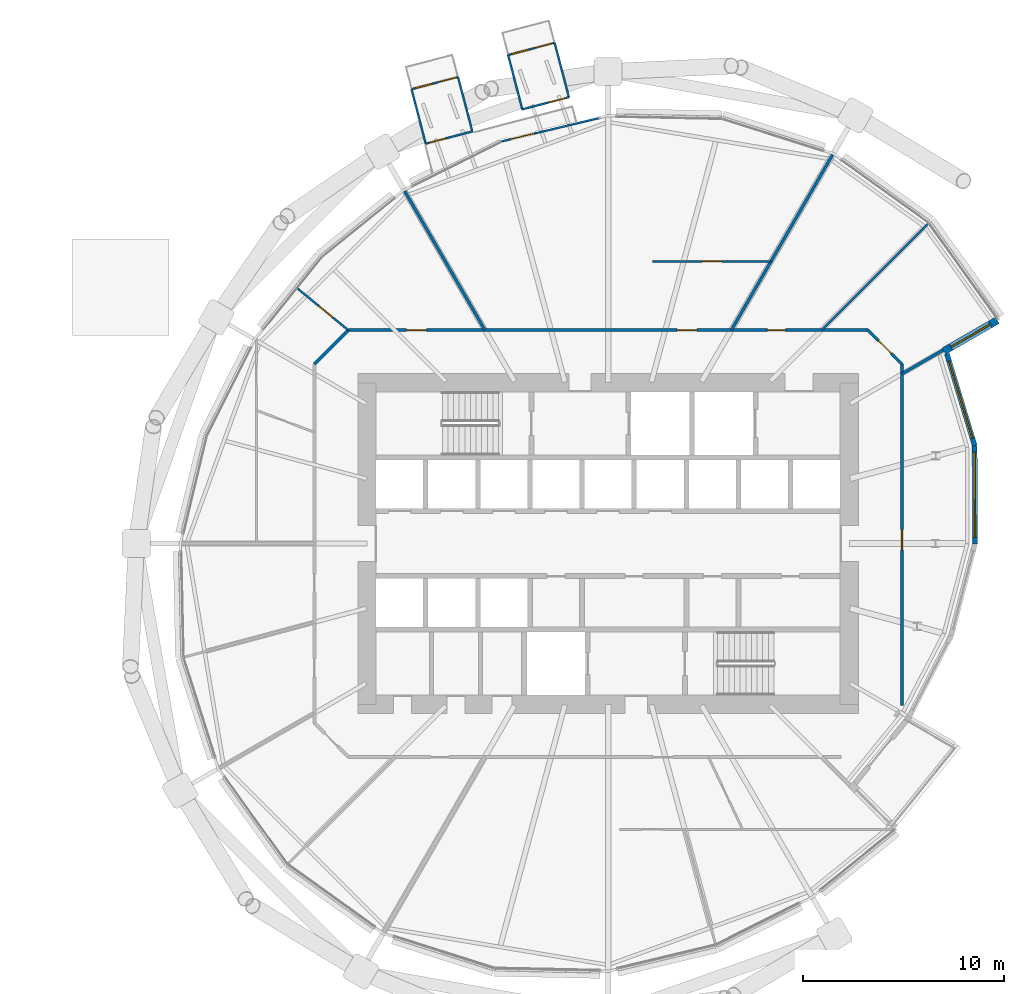
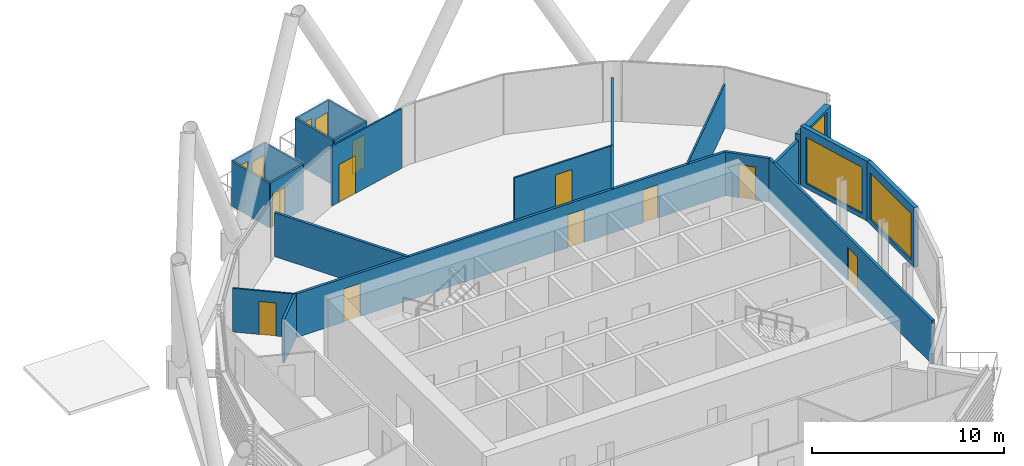
# One storey, part 27 of 34: 22 walls, 12 doors, 5 windows, 17 openings.
"""IFC4 building model written with IfcOpenShell, lengths in metres."""

from ifc_helpers import new_model, si_unit, direction, frame, frame_2d, origin, place, context, subcontext, project, spatial, rectangle, extrude, material, layer, layer_set, type_object, element, fill, save


model = new_model("IFC4")

# Units and contexts
model_context = context("Model", 3, precision=1e-05, world=origin(), true_north=direction((0.0, 1.0)))
body_context = subcontext(model_context, "Body", "Model", "MODEL_VIEW")
ifc_project = project(units=[si_unit("LENGTHUNIT", "METRE"), si_unit("AREAUNIT", "SQUARE_METRE"), si_unit("VOLUMEUNIT", "CUBIC_METRE"), si_unit("PLANEANGLEUNIT", "RADIAN"), si_unit("MASSUNIT", "GRAM", prefix="KILO")], contexts=[model_context])

# Site, building, storey
site_placement = place(None, origin())
site = spatial("IfcSite", under=ifc_project, at=site_placement, CompositionType="ELEMENT")
building_placement = place(site_placement, origin())
building = spatial("IfcBuilding", under=site, at=building_placement, Name="Rimbun Link Towers", CompositionType="ELEMENT")
storey_placement = place(building_placement, frame((0.0, 0.0, 41.39990234375)))
storey = spatial("IfcBuildingStorey", under=building, at=storey_placement, Name="L09", CompositionType="ELEMENT", Elevation=41.39990234375)

# Wall, openings, door, window
ifc_material_1 = material(Name="Terracotta-faced insulated sandwich panel", Category="masonry")
ifc_layer_1 = layer(ifc_material_1, 0.10009765625)
ifc_layer_set_1 = layer_set([ifc_layer_1], Name="CAPSULE entrance panel 100")
wall_type_1 = type_object("IfcWallType", Name="CAPSULE entrance panel 100", PredefinedType="STANDARD", material=ifc_layer_set_1)
wall_1_placement = place(storey_placement, frame((24.28271484375, 23.216796875, 0.0), z_axis=(0.0, 0.0, 1.0), x_axis=(-0.967358567916, -0.253411525153, 0.0)))
wall_1 = element("IfcWall", 1, at=wall_1_placement, inside=storey, type_object=wall_type_1, Name="CAPSULE D092.01 shell panel 2", PredefinedType="STANDARD", context=body_context, shape_type="SweptSolid", body=[
    extrude(rectangle(XDim=2.39990234375, YDim=0.10009765625, at=frame_2d((1.199951171875, 0.0))), origin(), (0.0, 0.0, 1.0), 2.85009765625),
])
opening_1_placement = place(wall_1_placement, frame((0.10009765625, 0.0, 0.0)))
opening_1 = element("IfcOpeningElement", 2, at=opening_1_placement, cuts=wall_1, Name="Opening CD09.01", PredefinedType="OPENING", context=body_context, shape_type="SweptSolid", body=[
    extrude(rectangle(XDim=0.89990234375, YDim=2.10009765625, at=frame_2d((0.449951171875, 1.050048828125))), frame((0.0, 0.06005859375, 0.0), z_axis=(0.0, -1.0, 0.0), x_axis=(1.0, 0.0, 0.0)), (0.0, 0.0, 1.0), 0.1201171875),
])
opening_2_placement = place(wall_1_placement, frame((1.300048828125, 0.0, 0.89990234375)))
opening_2 = element("IfcOpeningElement", 3, at=opening_2_placement, cuts=wall_1, Name="Opening CN09.01", PredefinedType="OPENING", context=body_context, shape_type="SweptSolid", body=[
    extrude(rectangle(XDim=0.89990234375, YDim=1.39990234375, at=frame_2d((0.449951171875, 0.699951171875))), frame((0.0, 0.06005859375, 0.0), z_axis=(0.0, -1.0, 0.0), x_axis=(1.0, 0.0, 0.0)), (0.0, 0.0, 1.0), 0.1201171875),
])
ifc_material_2 = material(Name="Aluminium framed insulated door leaf", Category="aluminium")
door_type_1 = type_object("IfcDoorType", Name="CAPSULE door single leaf 900X2100", OperationType="SINGLE_SWING_LEFT", PredefinedType="DOOR", material=ifc_material_2)
door_1_placement = place(opening_1_placement, origin())
door_1 = element("IfcDoor", 4, at=door_1_placement, inside=storey, type_object=door_type_1, Name="CAPSULE D092.01 door", OperationType="SINGLE_SWING_LEFT", OverallHeight=2.10009765625, OverallWidth=0.89990234375, PredefinedType="DOOR", context=body_context, shape_type="SweptSolid", body=[
    extrude(rectangle(XDim=0.89990234375, YDim=2.10009765625, at=frame_2d((0.449951171875, 1.050048828125))), frame((0.0, 0.02490234375, 0.0), z_axis=(0.0, -1.0, 0.0), x_axis=(1.0, 0.0, 0.0)), (0.0, 0.0, 1.0), 0.050048828125),
])
fill(opening_1, door_1)
ifc_material_3 = material(Name="Aluminium framed window, low-iron glass", Category="aluminium")
window_type_1 = type_object("IfcWindowType", Name="CAPSULE window 900X1400", PartitioningType="SINGLE_PANEL", PredefinedType="WINDOW", material=ifc_material_3)
window_1_placement = place(opening_2_placement, origin())
window_1 = element("IfcWindow", 5, at=window_1_placement, inside=storey, type_object=window_type_1, Name="CAPSULE D092.01 window", OverallHeight=1.39990234375, OverallWidth=0.89990234375, PartitioningType="SINGLE_PANEL", PredefinedType="WINDOW", context=body_context, shape_type="SweptSolid", body=[
    extrude(rectangle(XDim=0.89990234375, YDim=1.39990234375, at=frame_2d((0.449951171875, 0.699951171875))), frame((0.0, 0.030029296875, 0.0), z_axis=(0.0, -1.0, 0.0), x_axis=(1.0, 0.0, 0.0)), (0.0, 0.0, 1.0), 0.06005859375),
])
fill(opening_2, window_1)

# Wall, opening, door
wall_2_placement = place(storey_placement, frame((22.670654296875, 19.900146484375, 0.0), z_axis=(0.0, 0.0, 1.0), x_axis=(0.967383502153, 0.253316323521, 0.0)))
wall_2 = element("IfcWall", 6, at=wall_2_placement, inside=storey, type_object=wall_type_1, Name="CAPSULE D092.01 shell panel 4", PredefinedType="STANDARD", context=body_context, shape_type="SweptSolid", body=[
    extrude(rectangle(XDim=2.39990234375, YDim=0.10009765625, at=frame_2d((1.199951171875, 0.0))), origin(), (0.0, 0.0, 1.0), 2.85009765625),
])
opening_3_placement = place(wall_2_placement, frame((0.14990234375, 0.0, 0.0)))
opening_3 = element("IfcOpeningElement", 7, at=opening_3_placement, cuts=wall_2, Name="Opening CE09.01", PredefinedType="OPENING", context=body_context, shape_type="SweptSolid", body=[
    extrude(rectangle(XDim=0.89990234375, YDim=2.10009765625, at=frame_2d((0.449951171875, 1.050048828125))), frame((0.0, 0.06005859375, 0.0), z_axis=(0.0, -1.0, 0.0), x_axis=(1.0, 0.0, 0.0)), (0.0, 0.0, 1.0), 0.1201171875),
])
door_2_placement = place(opening_3_placement, origin())
door_2 = element("IfcDoor", 8, at=door_2_placement, inside=storey, type_object=door_type_1, Name="CAPSULE D092.01 inner door", OperationType="SINGLE_SWING_LEFT", OverallHeight=2.10009765625, OverallWidth=0.89990234375, PredefinedType="DOOR", context=body_context, shape_type="SweptSolid", body=[
    extrude(rectangle(XDim=0.89990234375, YDim=2.10009765625, at=frame_2d((0.449951171875, 1.050048828125))), frame((0.0, 0.02490234375, 0.0), z_axis=(0.0, -1.0, 0.0), x_axis=(1.0, 0.0, 0.0)), (0.0, 0.0, 1.0), 0.050048828125),
])
fill(opening_3, door_2)

# Wall, openings, door, window
wall_3_placement = place(storey_placement, frame((29.090576171875, 24.918212890625, 0.0), z_axis=(0.0, 0.0, 1.0), x_axis=(-0.967358567916, -0.253411525153, 0.0)))
wall_3 = element("IfcWall", 9, at=wall_3_placement, inside=storey, type_object=wall_type_1, Name="CAPSULE D092.02 shell panel 2", PredefinedType="STANDARD", context=body_context, shape_type="SweptSolid", body=[
    extrude(rectangle(XDim=2.39990234375, YDim=0.10009765625, at=frame_2d((1.199951171875, 0.0))), origin(), (0.0, 0.0, 1.0), 2.85009765625),
])
opening_4_placement = place(wall_3_placement, frame((0.10009765625, 0.0, 0.0)))
opening_4 = element("IfcOpeningElement", 10, at=opening_4_placement, cuts=wall_3, Name="Opening CD09.02", PredefinedType="OPENING", context=body_context, shape_type="SweptSolid", body=[
    extrude(rectangle(XDim=0.89990234375, YDim=2.10009765625, at=frame_2d((0.449951171875, 1.050048828125))), frame((0.0, 0.06005859375, 0.0), z_axis=(0.0, -1.0, 0.0), x_axis=(1.0, 0.0, 0.0)), (0.0, 0.0, 1.0), 0.1201171875),
])
opening_5_placement = place(wall_3_placement, frame((1.300048828125, 0.0, 0.89990234375)))
opening_5 = element("IfcOpeningElement", 11, at=opening_5_placement, cuts=wall_3, Name="Opening CN09.02", PredefinedType="OPENING", context=body_context, shape_type="SweptSolid", body=[
    extrude(rectangle(XDim=0.89990234375, YDim=1.39990234375, at=frame_2d((0.449951171875, 0.699951171875))), frame((0.0, 0.06005859375, 0.0), z_axis=(0.0, -1.0, 0.0), x_axis=(1.0, 0.0, 0.0)), (0.0, 0.0, 1.0), 0.1201171875),
])
door_3_placement = place(opening_4_placement, origin())
door_3 = element("IfcDoor", 12, at=door_3_placement, inside=storey, type_object=door_type_1, Name="CAPSULE D092.02 door", OperationType="SINGLE_SWING_RIGHT", OverallHeight=2.10009765625, OverallWidth=0.89990234375, PredefinedType="DOOR", context=body_context, shape_type="SweptSolid", body=[
    extrude(rectangle(XDim=0.89990234375, YDim=2.10009765625, at=frame_2d((0.449951171875, 1.050048828125))), frame((0.0, 0.02490234375, 0.0), z_axis=(0.0, -1.0, 0.0), x_axis=(1.0, 0.0, 0.0)), (0.0, 0.0, 1.0), 0.050048828125),
])
fill(opening_4, door_3)
window_2_placement = place(opening_5_placement, origin())
window_2 = element("IfcWindow", 13, at=window_2_placement, inside=storey, type_object=window_type_1, Name="CAPSULE D092.02 window", OverallHeight=1.39990234375, OverallWidth=0.89990234375, PartitioningType="SINGLE_PANEL", PredefinedType="WINDOW", context=body_context, shape_type="SweptSolid", body=[
    extrude(rectangle(XDim=0.89990234375, YDim=1.39990234375, at=frame_2d((0.449951171875, 0.699951171875))), frame((0.0, 0.030029296875, 0.0), z_axis=(0.0, -1.0, 0.0), x_axis=(1.0, 0.0, 0.0)), (0.0, 0.0, 1.0), 0.06005859375),
])
fill(opening_5, window_2)

# Wall, opening, door
wall_4_placement = place(storey_placement, frame((27.478515625, 21.601318359375, 0.0), z_axis=(0.0, 0.0, 1.0), x_axis=(0.967358567916, 0.253411525153, 0.0)))
wall_4 = element("IfcWall", 14, at=wall_4_placement, inside=storey, type_object=wall_type_1, Name="CAPSULE D092.02 shell panel 4", PredefinedType="STANDARD", context=body_context, shape_type="SweptSolid", body=[
    extrude(rectangle(XDim=2.39990234375, YDim=0.10009765625, at=frame_2d((1.199951171875, 0.0))), origin(), (0.0, 0.0, 1.0), 2.85009765625),
])
opening_6_placement = place(wall_4_placement, frame((1.35009765625, 0.0, 0.0)))
opening_6 = element("IfcOpeningElement", 15, at=opening_6_placement, cuts=wall_4, Name="Opening CE09.02", PredefinedType="OPENING", context=body_context, shape_type="SweptSolid", body=[
    extrude(rectangle(XDim=0.89990234375, YDim=2.10009765625, at=frame_2d((0.449951171875, 1.050048828125))), frame((0.0, 0.06005859375, 0.0), z_axis=(0.0, -1.0, 0.0), x_axis=(1.0, 0.0, 0.0)), (0.0, 0.0, 1.0), 0.1201171875),
])
door_4_placement = place(opening_6_placement, origin())
door_4 = element("IfcDoor", 16, at=door_4_placement, inside=storey, type_object=door_type_1, Name="CAPSULE D092.02 inner door", OperationType="SINGLE_SWING_LEFT", OverallHeight=2.10009765625, OverallWidth=0.89990234375, PredefinedType="DOOR", context=body_context, shape_type="SweptSolid", body=[
    extrude(rectangle(XDim=0.89990234375, YDim=2.10009765625, at=frame_2d((0.449951171875, 1.050048828125))), frame((0.0, 0.02490234375, 0.0), z_axis=(0.0, -1.0, 0.0), x_axis=(1.0, 0.0, 0.0)), (0.0, 0.0, 1.0), 0.050048828125),
])
fill(opening_6, door_4)

# Walls
ifc_material_4 = material(Name="Terracotta-faced insulated sandwich panel", Category="masonry")
ifc_layer_2 = layer(ifc_material_4, 0.10009765625)
ifc_layer_set_2 = layer_set([ifc_layer_2], Name="CAPSULE shell panel 100")
wall_type_2 = type_object("IfcWallType", Name="CAPSULE shell panel 100", PredefinedType="STANDARD", material=ifc_layer_set_2)
wall_5_placement = place(storey_placement, frame((24.9921875, 20.508056640625, 0.0), z_axis=(0.0, 0.0, 1.0), x_axis=(-0.253372990616, 0.967368661693, 0.0)))
element("IfcWall", 17, at=wall_5_placement, inside=storey, type_object=wall_type_2, Name="CAPSULE D092.01 shell panel 1", PredefinedType="STANDARD", context=body_context, shape_type="SweptSolid", body=[
    extrude(rectangle(XDim=2.800048828125, YDim=0.10009765625, at=frame_2d((1.39990234375, 0.0))), origin(), (0.0, 0.0, 1.0), 2.85009765625),
])
wall_6_placement = place(storey_placement, frame((21.961181640625, 22.608642578125, 0.0), z_axis=(0.0, 0.0, 1.0), x_axis=(0.253394362972, -0.967363063598, 0.0)))
element("IfcWall", 18, at=wall_6_placement, inside=storey, type_object=wall_type_2, Name="CAPSULE D092.01 shell panel 3", PredefinedType="STANDARD", context=body_context, shape_type="SweptSolid", body=[
    extrude(rectangle(XDim=2.7998046875, YDim=0.10009765625, at=frame_2d((1.39990234375, 0.0))), origin(), (0.0, 0.0, 1.0), 2.85009765625),
])
for number, where, z_axis, x_axis, name in (
    (19, (29.800048828125, 22.20947265625, 0.0), (0.0, 0.0, 1.0), (-0.253372990616, 0.967368661693, 0.0), "CAPSULE D092.02 shell panel 1"),
    (20, (26.76904296875, 24.31005859375, 0.0), (0.0, 0.0, 1.0), (0.253372990616, -0.967368661693, 0.0), "CAPSULE D092.02 shell panel 3"),
):
    element("IfcWall", number, at=place(storey_placement, frame(where, z_axis=z_axis, x_axis=x_axis)), inside=storey, type_object=wall_type_2, Name=name, PredefinedType="STANDARD", context=body_context, shape_type="SweptSolid", body=[
        extrude(rectangle(XDim=2.800048828125, YDim=0.10009765625, at=frame_2d((1.39990234375, 0.0))), origin(), (0.0, 0.0, 1.0), 2.85009765625),
    ])

# Wall, opening, window
ifc_material_5 = material(Name="Dark enamelled glass spandrel on insulated aluminium backpan", Category="aluminium")
ifc_layer_3 = layer(ifc_material_5, 0.25)
ifc_layer_set_3 = layer_set([ifc_layer_3], Name="CS dark enamelled spandrel wall 250")
wall_type_3 = type_object("IfcWallType", Name="CS dark enamelled spandrel wall 250", PredefinedType="STANDARD", material=ifc_layer_set_3)
wall_7_placement = place(storey_placement, frame((49.9931640625, 4.87353515625, 0.0), z_axis=(0.0, 0.0, 1.0), x_axis=(0.002796353793, -0.999996090195, 0.0)))
wall_7 = element("IfcWall", 21, at=wall_7_placement, inside=storey, type_object=wall_type_3, Name="Crease spandrel wall", PredefinedType="STANDARD", context=body_context, shape_type="SweptSolid", body=[
    extrude(rectangle(XDim=4.88916015625, YDim=0.25, at=frame_2d((2.444580078125, 0.0))), origin(), (0.0, 0.0, 1.0), 3.800048828125),
])
opening_7_placement = place(wall_7_placement, frame((0.319580078125, 0.0, 0.300048828125)))
opening_7 = element("IfcOpeningElement", 22, at=opening_7_placement, cuts=wall_7, Name="Opening WR42H295", PredefinedType="OPENING", context=body_context, shape_type="SweptSolid", body=[
    extrude(rectangle(XDim=4.25, YDim=2.949951171875, at=frame_2d((2.125, 1.47509765625))), frame((0.0, 0.135009765625, 0.0), z_axis=(0.0, -1.0, 0.0), x_axis=(1.0, 0.0, 0.0)), (0.0, 0.0, 1.0), 0.27001953125),
])
ifc_material_6 = material(Name="Aluminium framed fixed window, dark tinted low-e glass", Category="aluminium")
window_type_2 = type_object("IfcWindowType", Name="WR ribbon window 4250X2950", PartitioningType="SINGLE_PANEL", PredefinedType="WINDOW", material=ifc_material_6)
window_3_placement = place(opening_7_placement, origin())
window_3 = element("IfcWindow", 23, at=window_3_placement, inside=storey, type_object=window_type_2, Name="Crease ribbon window", OverallHeight=2.949951171875, OverallWidth=4.25, PartitioningType="SINGLE_PANEL", PredefinedType="WINDOW", context=body_context, shape_type="SweptSolid", body=[
    extrude(rectangle(XDim=4.25, YDim=2.949951171875, at=frame_2d((2.125, 1.47509765625))), frame((0.0, 0.030029296875, 0.0), z_axis=(0.0, -1.0, 0.0), x_axis=(1.0, 0.0, 0.0)), (0.0, 0.0, 1.0), 0.06005859375),
])
fill(opening_7, window_3)

wall_8_placement = place(storey_placement, frame((48.6083984375, 9.444580078125, 0.0), z_axis=(0.0, 0.0, 1.0), x_axis=(0.28993078462, -0.957047616438, 0.0)))
wall_8 = element("IfcWall", 24, at=wall_8_placement, inside=storey, type_object=wall_type_3, Name="Crease spandrel wall", PredefinedType="STANDARD", context=body_context, shape_type="SweptSolid", body=[
    extrude(rectangle(XDim=4.776123046875, YDim=0.25, at=frame_2d((2.38818359375, 0.0))), origin(), (0.0, 0.0, 1.0), 3.800048828125),
])
opening_8_placement = place(wall_8_placement, frame((0.38818359375, 0.0, 0.300048828125)))
opening_8 = element("IfcOpeningElement", 25, at=opening_8_placement, cuts=wall_8, Name="Opening WR40H295", PredefinedType="OPENING", context=body_context, shape_type="SweptSolid", body=[
    extrude(rectangle(XDim=4.0, YDim=2.949951171875, at=frame_2d((2.0, 1.47509765625))), frame((0.0, 0.135009765625, 0.0), z_axis=(0.0, -1.0, 0.0), x_axis=(1.0, 0.0, 0.0)), (0.0, 0.0, 1.0), 0.27001953125),
])
ifc_material_7 = material(Name="Aluminium framed fixed window, dark tinted low-e glass", Category="aluminium")
window_type_3 = type_object("IfcWindowType", Name="WR ribbon window 4000X2950", PartitioningType="SINGLE_PANEL", PredefinedType="WINDOW", material=ifc_material_7)
window_4_placement = place(opening_8_placement, origin())
window_4 = element("IfcWindow", 26, at=window_4_placement, inside=storey, type_object=window_type_3, Name="Crease ribbon window", OverallHeight=2.949951171875, OverallWidth=4.0, PartitioningType="SINGLE_PANEL", PredefinedType="WINDOW", context=body_context, shape_type="SweptSolid", body=[
    extrude(rectangle(XDim=4.0, YDim=2.949951171875, at=frame_2d((2.0, 1.47509765625))), frame((0.0, 0.030029296875, 0.0), z_axis=(0.0, -1.0, 0.0), x_axis=(1.0, 0.0, 0.0)), (0.0, 0.0, 1.0), 0.06005859375),
])
fill(opening_8, window_4)

ifc_material_8 = material(Name="Dark enamelled glass spandrel on insulated aluminium backpan", Category="aluminium")
ifc_layer_4 = layer(ifc_material_8, 0.3701171875)
ifc_layer_set_4 = layer_set([ifc_layer_4], Name="CS dark enamelled spandrel wall 370")
wall_type_4 = type_object("IfcWallType", Name="CS dark enamelled spandrel wall 370", PredefinedType="STANDARD", material=ifc_layer_set_4)
wall_9_placement = place(storey_placement, frame((51.12255859375, 11.10986328125, 0.0), z_axis=(0.0, 0.0, 1.0), x_axis=(-0.866010015463, -0.500026652407, 0.0)))
wall_9 = element("IfcWall", 27, at=wall_9_placement, inside=storey, type_object=wall_type_4, Name="Crease spandrel wall", PredefinedType="STANDARD", context=body_context, shape_type="SweptSolid", body=[
    extrude(rectangle(XDim=3.079833984375, YDim=0.3701171875, at=frame_2d((1.5400390625, 0.0))), origin(), (0.0, 0.0, 1.0), 3.1767578125),
])
opening_9_placement = place(wall_9_placement, frame((0.4150390625, 0.0, 0.300048828125)))
opening_9 = element("IfcOpeningElement", 28, at=opening_9_placement, cuts=wall_9, Name="Opening WR22H270", PredefinedType="OPENING", context=body_context, shape_type="SweptSolid", body=[
    extrude(rectangle(XDim=2.25, YDim=2.699951171875, at=frame_2d((1.125, 1.35009765625))), frame((0.0, 0.195068359375, 0.0), z_axis=(0.0, -1.0, 0.0), x_axis=(1.0, 0.0, 0.0)), (0.0, 0.0, 1.0), 0.39013671875),
])
ifc_material_9 = material(Name="Aluminium framed fixed window, dark tinted low-e glass", Category="aluminium")
window_type_4 = type_object("IfcWindowType", Name="WR ribbon window 2250X2700", PartitioningType="SINGLE_PANEL", PredefinedType="WINDOW", material=ifc_material_9)
window_5_placement = place(opening_9_placement, origin())
window_5 = element("IfcWindow", 29, at=window_5_placement, inside=storey, type_object=window_type_4, Name="Crease ribbon window", OverallHeight=2.699951171875, OverallWidth=2.25, PartitioningType="SINGLE_PANEL", PredefinedType="WINDOW", context=body_context, shape_type="SweptSolid", body=[
    extrude(rectangle(XDim=2.25, YDim=2.699951171875, at=frame_2d((1.125, 1.35009765625))), frame((0.0, 0.030029296875, 0.0), z_axis=(0.0, -1.0, 0.0), x_axis=(1.0, 0.0, 0.0)), (0.0, 0.0, 1.0), 0.06005859375),
])
fill(opening_9, window_5)

# Wall, opening, door
ifc_material_10 = material(Name="Plasterboard on steel stud, mineral wool", Category="steel")
ifc_layer_5 = layer(ifc_material_10, 0.14990234375)
ifc_layer_set_5 = layer_set([ifc_layer_5], Name="Corridor wall EI 30 150 mm")
wall_type_5 = type_object("IfcWallType", Name="Corridor wall EI 30 150 mm", PredefinedType="PARTITIONING", material=ifc_layer_set_5)
wall_10_placement = place(storey_placement, frame((46.375, 8.9267578125, 0.0), z_axis=(0.0, 0.0, 1.0), x_axis=(0.0, -1.0, 0.0)))
wall_10 = element("IfcWall", 30, at=wall_10_placement, inside=storey, type_object=wall_type_5, Name="Corridor wall EI 30 150 mm", PredefinedType="PARTITIONING", context=body_context, shape_type="SweptSolid", body=[
    extrude(rectangle(XDim=16.99462890625, YDim=0.14990234375, at=frame_2d((8.497314453125, 0.0))), origin(), (0.0, 0.0, 1.0), 2.779052734375),
])
opening_10_placement = place(wall_10_placement, frame((8.23876953125, 0.0, 0.0)))
opening_10 = element("IfcOpeningElement", 31, at=opening_10_placement, cuts=wall_10, Name="Opening D01", PredefinedType="OPENING", context=body_context, shape_type="SweptSolid", body=[
    extrude(rectangle(XDim=1.0, YDim=2.10009765625, at=frame_2d((0.5, 1.050048828125))), frame((0.0, 0.0849609375, 0.0), z_axis=(0.0, -1.0, 0.0), x_axis=(1.0, 0.0, 0.0)), (0.0, 0.0, 1.0), 0.169921875),
])
ifc_material_11 = material(Name="Fire-resisting timber door leaf", Category="wood")
door_type_2 = type_object("IfcDoorType", Name="Fire door FD30S 1000", OperationType="NOTDEFINED", PredefinedType="DOOR", material=ifc_material_11)
door_5_placement = place(opening_10_placement, origin())
door_5 = element("IfcDoor", 32, at=door_5_placement, inside=storey, type_object=door_type_2, Name="Fire door FD30S 1000 to Terrace office", OperationType="SINGLE_SWING_RIGHT", OverallHeight=2.10009765625, OverallWidth=1.0, PredefinedType="DOOR", context=body_context, shape_type="SweptSolid", body=[
    extrude(rectangle(XDim=1.0, YDim=2.10009765625, at=frame_2d((0.5, 1.050048828125))), frame((0.0, 0.02490234375, 0.0), z_axis=(0.0, -1.0, 0.0), x_axis=(1.0, 0.0, 0.0)), (0.0, 0.0, 1.0), 0.050048828125),
])
fill(opening_10, door_5)

# Wall
wall_11_placement = place(storey_placement, frame((18.8232421875, 10.625, 0.0), z_axis=(0.0, 0.0, 1.0), x_axis=(-0.707106781187, -0.707106781187, 0.0)))
element("IfcWall", 33, at=wall_11_placement, inside=storey, type_object=wall_type_5, Name="Corridor wall EI 30 150 mm", PredefinedType="PARTITIONING", context=body_context, shape_type="SweptSolid", body=[
    extrude(rectangle(XDim=2.401611328125, YDim=0.14990234375, at=frame_2d((1.20068359375, 0.0))), origin(), (0.0, 0.0, 1.0), 2.779052734375),
])

# Wall, openings, doors
wall_12_placement = place(storey_placement, frame((18.8232421875, 10.625, 0.0), z_axis=(0.0, 0.0, 1.0), x_axis=(1.0, 0.0, 0.0)))
wall_12 = element("IfcWall", 34, at=wall_12_placement, inside=storey, type_object=wall_type_5, Name="Corridor wall EI 30 150 mm", PredefinedType="PARTITIONING", context=body_context, shape_type="SweptSolid", body=[
    extrude(rectangle(XDim=25.853515625, YDim=0.14990234375, at=frame_2d((12.9267578125, 0.0))), origin(), (0.0, 0.0, 1.0), 2.779052734375),
])
opening_11_placement = place(wall_12_placement, frame((20.8564453125, 0.0, 0.0)))
opening_11 = element("IfcOpeningElement", 35, at=opening_11_placement, cuts=wall_12, Name="Opening D02", PredefinedType="OPENING", context=body_context, shape_type="SweptSolid", body=[
    extrude(rectangle(XDim=0.89990234375, YDim=2.10009765625, at=frame_2d((0.449951171875, 1.050048828125))), frame((0.0, 0.0849609375, 0.0), z_axis=(0.0, -1.0, 0.0), x_axis=(1.0, 0.0, 0.0)), (0.0, 0.0, 1.0), 0.169921875),
])
opening_12_placement = place(wall_12_placement, frame((16.343505859375, 0.0, 0.0)))
opening_12 = element("IfcOpeningElement", 36, at=opening_12_placement, cuts=wall_12, Name="Opening D01", PredefinedType="OPENING", context=body_context, shape_type="SweptSolid", body=[
    extrude(rectangle(XDim=1.0, YDim=2.10009765625, at=frame_2d((0.5, 1.050048828125))), frame((0.0, 0.0849609375, 0.0), z_axis=(0.0, -1.0, 0.0), x_axis=(1.0, 0.0, 0.0)), (0.0, 0.0, 1.0), 0.169921875),
])
opening_13_placement = place(wall_12_placement, frame((2.896240234375, 0.0, 0.0)))
opening_13 = element("IfcOpeningElement", 37, at=opening_13_placement, cuts=wall_12, Name="Opening D01", PredefinedType="OPENING", context=body_context, shape_type="SweptSolid", body=[
    extrude(rectangle(XDim=1.0, YDim=2.10009765625, at=frame_2d((0.5, 1.050048828125))), frame((0.0, 0.0849609375, 0.0), z_axis=(0.0, -1.0, 0.0), x_axis=(1.0, 0.0, 0.0)), (0.0, 0.0, 1.0), 0.169921875),
])
door_6_placement = place(opening_12_placement, origin())
door_6 = element("IfcDoor", 38, at=door_6_placement, inside=storey, type_object=door_type_2, Name="Fire door FD30S 1000 to Reception", OperationType="SINGLE_SWING_LEFT", OverallHeight=2.10009765625, OverallWidth=1.0, PredefinedType="DOOR", context=body_context, shape_type="SweptSolid", body=[
    extrude(rectangle(XDim=1.0, YDim=2.10009765625, at=frame_2d((0.5, 1.050048828125))), frame((0.0, 0.02490234375, 0.0), z_axis=(0.0, -1.0, 0.0), x_axis=(1.0, 0.0, 0.0)), (0.0, 0.0, 1.0), 0.050048828125),
])
fill(opening_12, door_6)
door_7_placement = place(opening_13_placement, origin())
door_7 = element("IfcDoor", 39, at=door_7_placement, inside=storey, type_object=door_type_2, Name="Fire door FD30S 1000 to Customer lobby", OperationType="SINGLE_SWING_RIGHT", OverallHeight=2.10009765625, OverallWidth=1.0, PredefinedType="DOOR", context=body_context, shape_type="SweptSolid", body=[
    extrude(rectangle(XDim=1.0, YDim=2.10009765625, at=frame_2d((0.5, 1.050048828125))), frame((0.0, 0.02490234375, 0.0), z_axis=(0.0, -1.0, 0.0), x_axis=(1.0, 0.0, 0.0)), (0.0, 0.0, 1.0), 0.050048828125),
])
fill(opening_13, door_7)
ifc_material_12 = material(Name="Fire-resisting timber door leaf", Category="wood")
door_type_3 = type_object("IfcDoorType", Name="Fire door FD30S 900", OperationType="NOTDEFINED", PredefinedType="DOOR", material=ifc_material_12)
door_8_placement = place(opening_11_placement, origin())
door_8 = element("IfcDoor", 40, at=door_8_placement, inside=storey, type_object=door_type_3, Name="Fire door FD30S 900 to Cellular office", OperationType="SINGLE_SWING_RIGHT", OverallHeight=2.10009765625, OverallWidth=0.89990234375, PredefinedType="DOOR", context=body_context, shape_type="SweptSolid", body=[
    extrude(rectangle(XDim=0.89990234375, YDim=2.10009765625, at=frame_2d((0.449951171875, 1.050048828125))), frame((0.0, 0.02490234375, 0.0), z_axis=(0.0, -1.0, 0.0), x_axis=(1.0, 0.0, 0.0)), (0.0, 0.0, 1.0), 0.050048828125),
])
fill(opening_11, door_8)

# Wall, opening, door
wall_13_placement = place(storey_placement, frame((44.6767578125, 10.625, 0.0), z_axis=(0.0, 0.0, 1.0), x_axis=(0.707106781187, -0.707106781187, 0.0)))
wall_13 = element("IfcWall", 41, at=wall_13_placement, inside=storey, type_object=wall_type_5, Name="Corridor wall EI 30 150 mm", PredefinedType="PARTITIONING", context=body_context, shape_type="SweptSolid", body=[
    extrude(rectangle(XDim=2.401611328125, YDim=0.14990234375, at=frame_2d((1.20068359375, 0.0))), origin(), (0.0, 0.0, 1.0), 2.779052734375),
])
opening_14_placement = place(wall_13_placement, frame((0.7509765625, 0.0, 0.0)))
opening_14 = element("IfcOpeningElement", 42, at=opening_14_placement, cuts=wall_13, Name="Opening D02", PredefinedType="OPENING", context=body_context, shape_type="SweptSolid", body=[
    extrude(rectangle(XDim=0.89990234375, YDim=2.10009765625, at=frame_2d((0.449951171875, 1.050048828125))), frame((0.0, 0.0849609375, 0.0), z_axis=(0.0, -1.0, 0.0), x_axis=(1.0, 0.0, 0.0)), (0.0, 0.0, 1.0), 0.169921875),
])
door_9_placement = place(opening_14_placement, origin())
door_9 = element("IfcDoor", 43, at=door_9_placement, inside=storey, type_object=door_type_3, Name="Fire door FD30S 900 to Cellular office", OperationType="SINGLE_SWING_LEFT", OverallHeight=2.10009765625, OverallWidth=0.89990234375, PredefinedType="DOOR", context=body_context, shape_type="SweptSolid", body=[
    extrude(rectangle(XDim=0.89990234375, YDim=2.10009765625, at=frame_2d((0.449951171875, 1.050048828125))), frame((0.0, 0.02490234375, 0.0), z_axis=(0.0, -1.0, 0.0), x_axis=(1.0, 0.0, 0.0)), (0.0, 0.0, 1.0), 0.050048828125),
])
fill(opening_14, door_9)

ifc_material_13 = material(Name="Aluminium framed insulated infill panel", Category="aluminium")
ifc_layer_6 = layer(ifc_material_13, 0.10009765625)
ifc_layer_set_6 = layer_set([ifc_layer_6], Name="ED framed infill wall 100")
wall_type_6 = type_object("IfcWallType", Name="ED framed infill wall 100", PredefinedType="STANDARD", material=ifc_layer_set_6)
wall_14_placement = place(storey_placement, frame((26.411376953125, 20.006591796875, 0.0), z_axis=(0.0, 0.0, 1.0), x_axis=(0.972578172375, 0.232576221097, 0.0)))
wall_14 = element("IfcWall", 44, at=wall_14_placement, inside=storey, type_object=wall_type_6, Name="Framed door bay wall", PredefinedType="STANDARD", context=body_context, shape_type="SweptSolid", body=[
    extrude(rectangle(XDim=5.007080078125, YDim=0.10009765625, at=frame_2d((2.50341796875, 0.0))), origin(), (0.0, 0.0, 1.0), 3.800048828125),
])
opening_15_placement = place(wall_14_placement, frame((0.500244140625, 0.0, 0.0)))
opening_15 = element("IfcOpeningElement", 45, at=opening_15_placement, cuts=wall_14, Name="Opening ED91", PredefinedType="OPENING", context=body_context, shape_type="SweptSolid", body=[
    extrude(rectangle(XDim=1.199951171875, YDim=2.39990234375, at=frame_2d((0.60009765625, 1.199951171875))), frame((0.0, 0.06005859375, 0.0), z_axis=(0.0, -1.0, 0.0), x_axis=(1.0, 0.0, 0.0)), (0.0, 0.0, 1.0), 0.1201171875),
])
ifc_material_14 = material(Name="Aluminium framed glazed door, low-iron glass", Category="aluminium")
door_type_4 = type_object("IfcDoorType", Name="ED terrace door double leaf 1200X2400", OperationType="DOUBLE_DOOR_SINGLE_SWING", PredefinedType="DOOR", material=ifc_material_14)
door_10_placement = place(opening_15_placement, origin())
door_10 = element("IfcDoor", 46, at=door_10_placement, inside=storey, type_object=door_type_4, Name="Terrace door", OperationType="SINGLE_SWING_LEFT", OverallHeight=2.39990234375, OverallWidth=1.199951171875, PredefinedType="DOOR", context=body_context, shape_type="SweptSolid", body=[
    extrude(rectangle(XDim=1.199951171875, YDim=2.39990234375, at=frame_2d((0.60009765625, 1.199951171875))), frame((0.0, 0.02490234375, 0.0), z_axis=(0.0, -1.0, 0.0), x_axis=(1.0, 0.0, 0.0)), (0.0, 0.0, 1.0), 0.050048828125),
])
fill(opening_15, door_10)

# Wall
ifc_material_15 = material(Name="Plasterboard on steel stud", Category="steel")
ifc_layer_7 = layer(ifc_material_15, 0.10009765625)
ifc_layer_set_7 = layer_set([ifc_layer_7], Name="Plasterboard partition 100 mm")
wall_type_7 = type_object("IfcWallType", Name="Plasterboard partition 100 mm", PredefinedType="PARTITIONING", material=ifc_layer_set_7)
wall_15_placement = place(storey_placement, frame((47.689453125, 15.939453125, 0.0), z_axis=(0.0, 0.0, 1.0), x_axis=(-0.707106781187, -0.707106781187, 0.0)))
element("IfcWall", 47, at=wall_15_placement, inside=storey, type_object=wall_type_7, Name="Plasterboard partition 100 mm", PredefinedType="PARTITIONING", context=body_context, shape_type="SweptSolid", body=[
    extrude(rectangle(XDim=7.515869140625, YDim=0.10009765625, at=frame_2d((3.7578125, 0.0))), origin(), (0.0, 0.0, 1.0), 2.779052734375),
])

# Wall, opening, door
wall_16_placement = place(storey_placement, frame((33.965576171875, 14.044921875, 0.0), z_axis=(0.0, 0.0, 1.0), x_axis=(1.0, 0.0, 0.0)))
wall_16 = element("IfcWall", 48, at=wall_16_placement, inside=storey, type_object=wall_type_7, Name="Plasterboard partition 100 mm", PredefinedType="PARTITIONING", context=body_context, shape_type="SweptSolid", body=[
    extrude(rectangle(XDim=5.893310546875, YDim=0.10009765625, at=frame_2d((2.94677734375, 0.0))), origin(), (0.0, 0.0, 1.0), 2.779052734375),
])
opening_16_placement = place(wall_16_placement, frame((2.44677734375, 0.0, 0.0)))
opening_16 = element("IfcOpeningElement", 49, at=opening_16_placement, cuts=wall_16, Name="Opening D03", PredefinedType="OPENING", context=body_context, shape_type="SweptSolid", body=[
    extrude(rectangle(XDim=1.0, YDim=2.10009765625, at=frame_2d((0.5, 1.050048828125))), frame((0.0, 0.06005859375, 0.0), z_axis=(0.0, -1.0, 0.0), x_axis=(1.0, 0.0, 0.0)), (0.0, 0.0, 1.0), 0.1201171875),
])
ifc_material_16 = material(Name="Timber door leaf", Category="wood")
door_type_5 = type_object("IfcDoorType", Name="Flush door 1000", OperationType="NOTDEFINED", PredefinedType="DOOR", material=ifc_material_16)
door_11_placement = place(opening_16_placement, origin())
door_11 = element("IfcDoor", 50, at=door_11_placement, inside=storey, type_object=door_type_5, Name="Flush door 1000 to Open office", OperationType="SINGLE_SWING_LEFT", OverallHeight=2.10009765625, OverallWidth=1.0, PredefinedType="DOOR", context=body_context, shape_type="SweptSolid", body=[
    extrude(rectangle(XDim=1.0, YDim=2.10009765625, at=frame_2d((0.5, 1.050048828125))), frame((0.0, 0.02490234375, 0.0), z_axis=(0.0, -1.0, 0.0), x_axis=(1.0, 0.0, 0.0)), (0.0, 0.0, 1.0), 0.050048828125),
])
fill(opening_16, door_11)

wall_17_placement = place(storey_placement, frame((18.816650390625, 10.618408203125, 0.0), z_axis=(0.0, 0.0, 1.0), x_axis=(-0.772933716457, 0.634486776823, 0.0)))
wall_17 = element("IfcWall", 51, at=wall_17_placement, inside=storey, type_object=wall_type_7, Name="Plasterboard partition 100 mm", PredefinedType="PARTITIONING", context=body_context, shape_type="SweptSolid", body=[
    extrude(rectangle(XDim=3.297607421875, YDim=0.10009765625, at=frame_2d((1.64892578125, 0.0))), origin(), (0.0, 0.0, 1.0), 2.779052734375),
])
opening_17_placement = place(wall_17_placement, frame((0.9970703125, 0.0, 0.0)))
opening_17 = element("IfcOpeningElement", 52, at=opening_17_placement, cuts=wall_17, Name="Opening D04", PredefinedType="OPENING", context=body_context, shape_type="SweptSolid", body=[
    extrude(rectangle(XDim=0.89990234375, YDim=2.10009765625, at=frame_2d((0.449951171875, 1.050048828125))), frame((0.0, 0.06005859375, 0.0), z_axis=(0.0, -1.0, 0.0), x_axis=(1.0, 0.0, 0.0)), (0.0, 0.0, 1.0), 0.1201171875),
])
ifc_material_17 = material(Name="Timber door leaf", Category="wood")
door_type_6 = type_object("IfcDoorType", Name="Flush door 900", OperationType="NOTDEFINED", PredefinedType="DOOR", material=ifc_material_17)
door_12_placement = place(opening_17_placement, origin())
door_12 = element("IfcDoor", 53, at=door_12_placement, inside=storey, type_object=door_type_6, Name="Flush door 900 to Interview room", OperationType="SINGLE_SWING_RIGHT", OverallHeight=2.10009765625, OverallWidth=0.89990234375, PredefinedType="DOOR", context=body_context, shape_type="SweptSolid", body=[
    extrude(rectangle(XDim=0.89990234375, YDim=2.10009765625, at=frame_2d((0.449951171875, 1.050048828125))), frame((0.0, 0.02490234375, 0.0), z_axis=(0.0, -1.0, 0.0), x_axis=(1.0, 0.0, 0.0)), (0.0, 0.0, 1.0), 0.050048828125),
])
fill(opening_17, door_12)

# Walls
ifc_material_18 = material(Name="Plasterboard on steel stud, mineral wool", Category="steel")
ifc_layer_8 = layer(ifc_material_18, 0.14990234375)
ifc_layer_set_8 = layer_set([ifc_layer_8], Name="Tenancy separation wall EI 60 150 mm")
wall_type_8 = type_object("IfcWallType", Name="Tenancy separation wall EI 60 150 mm", PredefinedType="PARTITIONING", material=ifc_layer_set_8)
wall_18_placement = place(storey_placement, frame((37.884521484375, 10.625, 0.0), z_axis=(0.0, 0.0, 1.0), x_axis=(0.499987934352, 0.866032369777, 0.0)))
element("IfcWall", 54, at=wall_18_placement, inside=storey, type_object=wall_type_8, Name="Tenancy separation wall EI 60 150 mm", PredefinedType="PARTITIONING", context=body_context, shape_type="SweptSolid", body=[
    extrude(rectangle(XDim=10.083251953125, YDim=0.14990234375, at=frame_2d((5.04150390625, 0.0))), origin(), (0.0, 0.0, 1.0), 2.779052734375),
])
wall_19_placement = place(storey_placement, frame((25.615478515625, 10.625, 0.0), z_axis=(0.0, 0.0, 1.0), x_axis=(-0.499977946567, 0.866038135965, 0.0)))
element("IfcWall", 55, at=wall_19_placement, inside=storey, type_object=wall_type_8, Name="Tenancy separation wall EI 60 150 mm", PredefinedType="PARTITIONING", context=body_context, shape_type="SweptSolid", body=[
    extrude(rectangle(XDim=7.995849609375, YDim=0.14990234375, at=frame_2d((3.998046875, 0.0))), origin(), (0.0, 0.0, 1.0), 2.779052734375),
])
wall_20_placement = place(storey_placement, frame((46.375, 8.44384765625, 0.0), z_axis=(0.0, 0.0, 1.0), x_axis=(0.866017090885, 0.500014398087, 0.0)))
element("IfcWall", 56, at=wall_20_placement, inside=storey, type_object=wall_type_8, Name="Tenancy separation wall EI 60 150 mm", PredefinedType="PARTITIONING", context=body_context, shape_type="SweptSolid", body=[
    extrude(rectangle(XDim=2.36474609375, YDim=0.14990234375, at=frame_2d((1.182373046875, 0.0))), origin(), (0.0, 0.0, 1.0), 2.779052734375),
])

save(model, "model.ifc")
